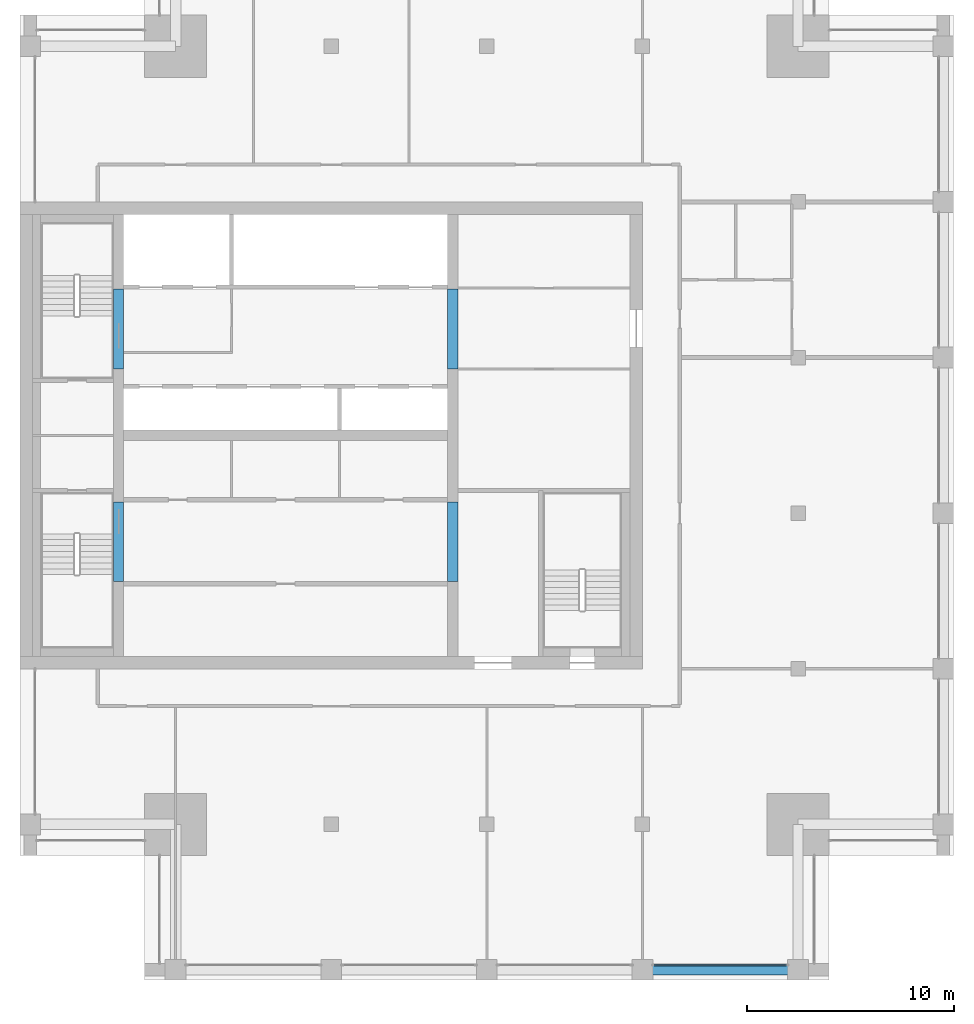
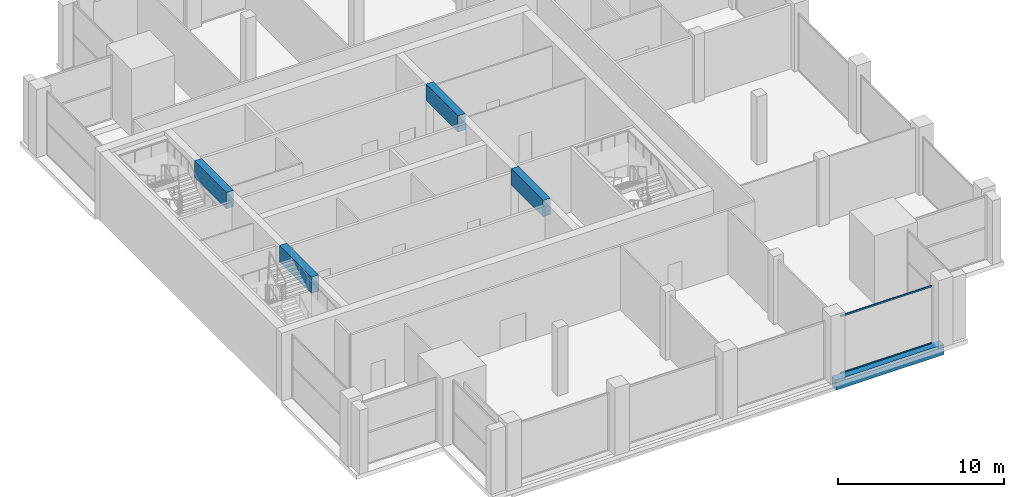
# One storey, part 3 of 15: 5 beams, 2 members, 1 element without a shape of its own.
"""IFC4 building model written with IfcOpenShell, lengths in metres."""

import ifcopenshell
import ifcopenshell.guid

model = None  # the IFC model being written
_history = None  # IfcOwnerHistory: only IFC2X3 demands one
_inside = {}  # id of a spatial element -> (the spatial element, [elements in it])
_under = {}  # id of a project, library or spatial element -> (it, [spatial elements below it])
_declared = {}  # id of a project -> (the project, [libraries it declares])
_typed = {}  # id of a type object -> (the type object, [elements of that type])
_made_of = {}  # id of a material, layer set ... -> (it, [elements and type objects made of it])


def new_model(schema):
    """Start an empty IFC model of exactly this schema.

    Asked for "IFC4X3", IfcOpenShell would pick the latest addendum, in which some entities
    have other attributes; the version numbers below select the first issue.
    IFC2X3 requires an IfcOwnerHistory on every rooted entity: one is made here for all.
    """
    global model, _history
    if schema == "IFC4X3":
        model = ifcopenshell.file(schema_version=(4, 3, 0, 0))
    else:
        model = ifcopenshell.file(schema=schema)
    _inside.clear()
    _under.clear()
    _declared.clear()
    _typed.clear()
    _made_of.clear()
    _history = None
    if model.schema == "IFC2X3":
        org = make("IfcOrganization", Name="unknown")
        user = make(
            "IfcPersonAndOrganization",
            ThePerson=make("IfcPerson", FamilyName="unknown"),
            TheOrganization=org,
        )
        app = make(
            "IfcApplication",
            ApplicationDeveloper=org,
            Version="unknown",
            ApplicationFullName="unknown",
            ApplicationIdentifier="unknown",
        )
        _history = make(
            "IfcOwnerHistory",
            OwningUser=user,
            OwningApplication=app,
            ChangeAction="ADDED",
            CreationDate=0,
        )
    return model


def make(cls, **values):
    """One entity of the class cls with the attributes given. An attribute that is None is left unset."""
    return model.create_entity(
        cls, **{name: value for name, value in values.items() if value is not None}
    )


def rooted(cls, **values):
    """An entity with a GlobalId (a new one), such as an element, a storey or a relation."""
    return make(cls, GlobalId=ifcopenshell.guid.new(), OwnerHistory=_history, **values)


def si_unit(unit_type, name, prefix=None):
    """IfcSIUnit, for example si_unit("LENGTHUNIT", "METRE", prefix="MILLI")."""
    return make("IfcSIUnit", UnitType=unit_type, Prefix=prefix, Name=name)


def assignment(units):
    """IfcUnitAssignment: the units of a project."""
    return None if units is None else make("IfcUnitAssignment", Units=units)


def point(xyz):
    """IfcCartesianPoint."""
    return None if xyz is None else make("IfcCartesianPoint", Coordinates=xyz)


def direction(xyz):
    """IfcDirection."""
    return None if xyz is None else make("IfcDirection", DirectionRatios=xyz)


def frame(location, z_axis=None, x_axis=None):
    """IfcAxis2Placement3D, a coordinate frame: its origin and axes. An axis left out is left unset."""
    return make(
        "IfcAxis2Placement3D",
        Location=point(location),
        Axis=direction(z_axis),
        RefDirection=direction(x_axis),
    )


def frame_2d(location, x_axis=None):
    """IfcAxis2Placement2D, a coordinate frame in the plane: its origin and x axis."""
    return make(
        "IfcAxis2Placement2D", Location=point(location), RefDirection=direction(x_axis)
    )


def origin():
    """The frame at (0, 0, 0) with its axes left unset."""
    return frame((0.0, 0.0, 0.0))


def origin_2d():
    """The frame at (0, 0) in the plane with its x axis left unset."""
    return frame_2d((0.0, 0.0))


def place(relative_to, where):
    """IfcLocalPlacement: puts the frame where relative to a parent placement (None: the world)."""
    return make(
        "IfcLocalPlacement", PlacementRelTo=relative_to, RelativePlacement=where
    )


def context(
    kind, dimensions, precision=None, world=None, true_north=None, identifier=None
):
    """IfcGeometricRepresentationContext, for example the 3D "Model" context."""
    return make(
        "IfcGeometricRepresentationContext",
        ContextIdentifier=identifier,
        ContextType=kind,
        CoordinateSpaceDimension=dimensions,
        Precision=precision,
        WorldCoordinateSystem=world,
        TrueNorth=true_north,
    )


def subcontext(parent, identifier, kind, view, scale=None):
    """IfcGeometricRepresentationSubContext, for example "Body" below "Model"."""
    return make(
        "IfcGeometricRepresentationSubContext",
        ContextIdentifier=identifier,
        ContextType=kind,
        ParentContext=parent,
        TargetScale=scale,
        TargetView=view,
    )


def project(units=None, contexts=None):
    """IfcProject with its units and contexts."""
    return rooted(
        "IfcProject",
        Name="project",
        RepresentationContexts=contexts,
        UnitsInContext=assignment(units),
    )


def spatial(cls, under=None, at=None, **own):
    """A site, building, storey or space (cls), placed at a placement, below another one or the project."""
    s = rooted(cls, ObjectPlacement=at, **own)
    if under is not None:
        _under.setdefault(under.id(), (under, []))[1].append(s)
    return s


def profile(cls, at=None, kind="AREA", **sizes):
    """A parametric profile (cls). Its sizes go by their IFC names, for example OverallWidth=200.0."""
    return make(cls, ProfileType=kind, Position=at, **sizes)


def rectangle(**sizes):
    """IfcRectangleProfileDef."""
    return profile("IfcRectangleProfileDef", **sizes)


def extrude(swept, where, along, depth):
    """IfcExtrudedAreaSolid: the profile swept, set in the frame where, extruded along a direction by depth."""
    return make(
        "IfcExtrudedAreaSolid",
        SweptArea=swept,
        Position=where,
        ExtrudedDirection=direction(along),
        Depth=depth,
    )


def shape(context_of_items, identifier, shape_type, items):
    """IfcShapeRepresentation: the items that make up one representation, for example the "Body"."""
    return make(
        "IfcShapeRepresentation",
        ContextOfItems=context_of_items,
        RepresentationIdentifier=identifier,
        RepresentationType=shape_type,
        Items=items,
    )


def material(Name=None, Category=None):
    """IfcMaterial."""
    return make("IfcMaterial", Name=Name, Category=Category)


def layer(
    of_material, thickness, ventilated=None, Name=None, Category=None, Priority=None
):
    """IfcMaterialLayer: one layer of a wall or slab, of a material (None: an air gap)."""
    return make(
        "IfcMaterialLayer",
        Material=of_material,
        LayerThickness=thickness,
        IsVentilated=ventilated,
        Name=Name,
        Category=Category,
        Priority=Priority,
    )


def layer_set(layers, Name=None):
    """IfcMaterialLayerSet."""
    return make("IfcMaterialLayerSet", MaterialLayers=layers, LayerSetName=Name)


def material_profile(
    of_material, cross_section, Name=None, Category=None, Priority=None
):
    """IfcMaterialProfile: a cross section and its material."""
    return make(
        "IfcMaterialProfile",
        Name=Name,
        Material=of_material,
        Profile=cross_section,
        Priority=Priority,
        Category=Category,
    )


def profile_set(profiles, Name=None, composite=None):
    """IfcMaterialProfileSet."""
    return make(
        "IfcMaterialProfileSet",
        Name=Name,
        MaterialProfiles=profiles,
        CompositeProfile=composite,
    )


def made_of(thing, what):
    """Note that an element or type object is made of a material, layer set ...; save() writes the relation."""
    if what is not None:
        _made_of.setdefault(what.id(), (what, []))[1].append(thing)
    return thing


def type_object(cls, material=None, **own):
    """A type object (cls), such as IfcWallType, which elements share."""
    return made_of(rooted(cls, **own), material)


def element(
    cls,
    number,
    at=None,
    inside=None,
    cuts=None,
    type_object=None,
    material=None,
    context=None,
    identifier="Body",
    shape_type=None,
    held_by="IfcProductDefinitionShape",
    body=None,
    shapes=None,
    **own,
):
    """One element of the class cls, such as IfcWall. Its Tag is "e" and its number.

    at: its placement. inside: the storey or other place that contains it. cuts: it is an
    opening in that element (IfcRelVoidsElement). A single representation is given by context,
    identifier, shape_type and body (its items); several are given by shapes. held_by: the class
    of the entity that holds the representations. save() writes the other relations.
    """
    e = rooted(cls, Tag="e%d" % number, ObjectPlacement=at, **own)
    if body is not None:
        shapes = [shape(context, identifier, shape_type, body)]
    if shapes is not None:
        e.Representation = make(held_by, Representations=shapes)
    if inside is not None:
        _inside.setdefault(inside.id(), (inside, []))[1].append(e)
    if cuts is not None:
        rooted(
            "IfcRelVoidsElement", RelatingBuildingElement=cuts, RelatedOpeningElement=e
        )
    if type_object is not None:
        _typed.setdefault(type_object.id(), (type_object, []))[1].append(e)
    return made_of(e, material)


def aggregate(whole, parts):
    """IfcRelAggregates: a whole, such as a stair, and the parts it consists of."""
    return rooted("IfcRelAggregates", RelatingObject=whole, RelatedObjects=parts)


def save(model, path):
    """Write the relations noted so far, then the file.

    IfcRelAggregates (storeys below a building ...), IfcRelContainedInSpatialStructure (elements
    in a storey), IfcRelDefinesByType, IfcRelAssociatesMaterial and IfcRelDeclares: one each for
    every whole, place, type object, material and project.
    """
    for whole, parts in _under.values():
        aggregate(whole, parts)
    for where, things in _inside.values():
        rooted(
            "IfcRelContainedInSpatialStructure",
            RelatedElements=things,
            RelatingStructure=where,
        )
    for kind, things in _typed.values():
        rooted("IfcRelDefinesByType", RelatedObjects=things, RelatingType=kind)
    for what, things in _made_of.values():
        rooted("IfcRelAssociatesMaterial", RelatedObjects=things, RelatingMaterial=what)
    for by, libraries in _declared.values():
        rooted("IfcRelDeclares", RelatingContext=by, RelatedDefinitions=libraries)
    model.write(path)


model = new_model("IFC4")

# Units and contexts
model_context = context("Model", 3, precision=1e-05, world=origin(), true_north=direction((0.0, 1.0)))
body_context = subcontext(model_context, "Body", "Model", "MODEL_VIEW")
ifc_project = project(units=[si_unit("LENGTHUNIT", "METRE"), si_unit("AREAUNIT", "SQUARE_METRE"), si_unit("VOLUMEUNIT", "CUBIC_METRE"), si_unit("PLANEANGLEUNIT", "RADIAN"), si_unit("MASSUNIT", "GRAM", prefix="KILO")], contexts=[model_context])

# Site, building, storey
site_placement = place(None, origin())
site = spatial("IfcSite", under=ifc_project, at=site_placement, CompositionType="ELEMENT")
building_placement = place(site_placement, origin())
building = spatial("IfcBuilding", under=site, at=building_placement, Name="Tamorin Gate", CompositionType="ELEMENT")
storey_placement = place(building_placement, frame((0.0, 0.0, 287.199951171875)))
storey = spatial("IfcBuildingStorey", under=building, at=storey_placement, Name="L72", CompositionType="ELEMENT", Elevation=287.199951171875)

# Curtain wall, members
ifc_material_1 = material(Name="Aluminium mullions and transoms with clear glass", Category="aluminium")
ifc_layer = layer(ifc_material_1, 0.159912109375)
ifc_layer_set = layer_set([ifc_layer], Name="Curtain wall system CW2")
curtain_wall_type = type_object("IfcCurtainWallType", Name="Curtain wall system CW2", PredefinedType="NOTDEFINED", material=ifc_layer_set)
curtain_wall_placement = place(storey_placement, origin())
curtain_wall = element("IfcCurtainWall", 1, at=curtain_wall_placement, inside=storey, type_object=curtain_wall_type, Name="Curtain wall", PredefinedType="NOTDEFINED")
ifc_material_2 = material(Name="Aluminium", Category="aluminium")
ifc_material_profile_1 = material_profile(ifc_material_2, rectangle(XDim=0.06005859375, YDim=0.1201171875, at=origin_2d()), Name="RECT 60x120")
ifc_profile_set_1 = profile_set([ifc_material_profile_1], Name="Aluminium")
member_type = type_object("IfcMemberType", Name="Aluminium transom 60x120", PredefinedType="USERDEFINED", material=ifc_profile_set_1)
member_1_placement = place(storey_placement, frame((60.56005859375, 45.719970703125, 0.030029296875), z_axis=(1.0, 0.0, 0.0), x_axis=(0.0, 1.0, 0.0)))
member_1 = element("IfcMember", 2, at=member_1_placement, type_object=member_type, Name="CW2 transom 1.1", ObjectType="TRANSOM", PredefinedType="USERDEFINED", context=body_context, shape_type="SweptSolid", body=[
    extrude(rectangle(XDim=0.06005859375, YDim=0.1201171875, at=origin_2d()), origin(), (0.0, 0.0, 1.0), 6.3798828125),
])
member_2_placement = place(storey_placement, frame((60.56005859375, 45.719970703125, 4.219970703125), z_axis=(1.0, 0.0, 0.0), x_axis=(0.0, 1.0, 0.0)))
member_2 = element("IfcMember", 3, at=member_2_placement, type_object=member_type, Name="CW2 transom 1.2", ObjectType="TRANSOM", PredefinedType="USERDEFINED", context=body_context, shape_type="SweptSolid", body=[
    extrude(rectangle(XDim=0.06005859375, YDim=0.1201171875, at=origin_2d()), origin(), (0.0, 0.0, 1.0), 6.3798828125),
])
aggregate(curtain_wall, [member_1, member_2])

# Beams
ifc_material_3 = material(Name="Concrete C50/60", Category="concrete")
ifc_material_profile_2 = material_profile(ifc_material_3, rectangle(XDim=0.5, YDim=1.199951171875, at=origin_2d()), Name="RC 500x1200")
ifc_profile_set_2 = profile_set([ifc_material_profile_2], Name="Concrete C50/60")
beam_type_1 = type_object("IfcBeamType", Name="RC coupling beam 500x1200 C50/60", PredefinedType="BEAM", material=ifc_profile_set_2)
for number, where, z_axis, x_axis, name in (
    (4, (34.75, 64.199951171875, 4.400146484375), (0.0, 1.0, 0.0), (-1.0, 0.0, 0.0), "Coupling beam L72"),
    (5, (34.75, 74.449951171875, 4.400146484375), (0.0, 1.0, 0.0), (-1.0, 0.0, 0.0), "Coupling beam L72"),
    (6, (50.85009765625, 64.199951171875, 4.400146484375), (0.0, 1.0, 0.0), (-1.0, 0.0, 0.0), "Coupling beam L72"),
    (7, (50.85009765625, 74.449951171875, 4.400146484375), (0.0, 1.0, 0.0), (-1.0, 0.0, 0.0), "Coupling beam L72"),
):
    element("IfcBeam", number, at=place(storey_placement, frame(where, z_axis=z_axis, x_axis=x_axis)), inside=storey, type_object=beam_type_1, Name=name, PredefinedType="BEAM", context=body_context, shape_type="SweptSolid", body=[
        extrude(rectangle(XDim=0.5, YDim=1.199951171875, at=origin_2d()), origin(), (0.0, 0.0, 1.0), 3.85009765625),
    ])
ifc_material_profile_3 = material_profile(ifc_material_3, rectangle(XDim=0.5, YDim=0.75, at=origin_2d()), Name="RC 500x750")
ifc_profile_set_3 = profile_set([ifc_material_profile_3], Name="Concrete C50/60")
beam_type_2 = type_object("IfcBeamType", Name="RC spandrel 500x750 C50/60", PredefinedType="BEAM", material=ifc_profile_set_3)
beam_placement = place(storey_placement, frame((60.0, 45.5, -0.375), z_axis=(1.0, 0.0, 0.0), x_axis=(0.0, 1.0, 0.0)))
element("IfcBeam", 8, at=beam_placement, inside=storey, type_object=beam_type_2, Name="Spandrel beam L72", PredefinedType="BEAM", context=body_context, shape_type="SweptSolid", body=[
    extrude(rectangle(XDim=0.5, YDim=0.75, at=origin_2d()), origin(), (0.0, 0.0, 1.0), 7.5),
])

save(model, "model.ifc")
